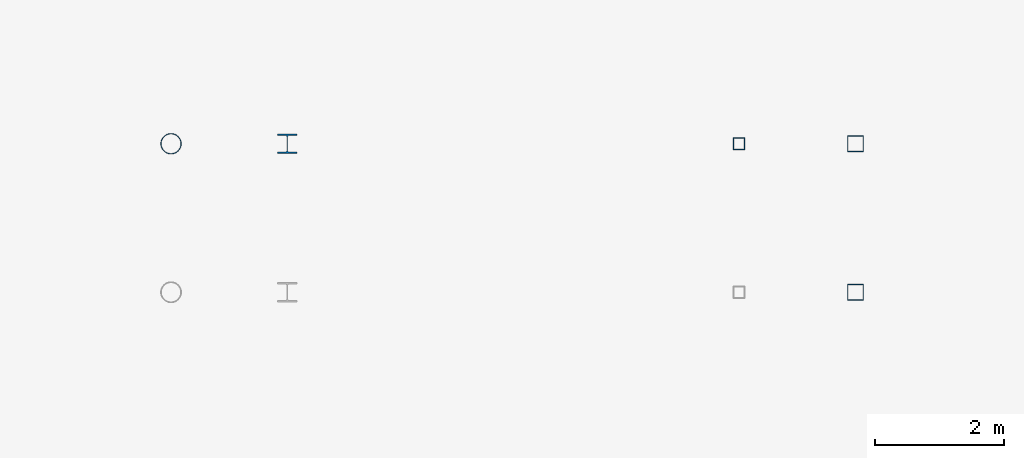
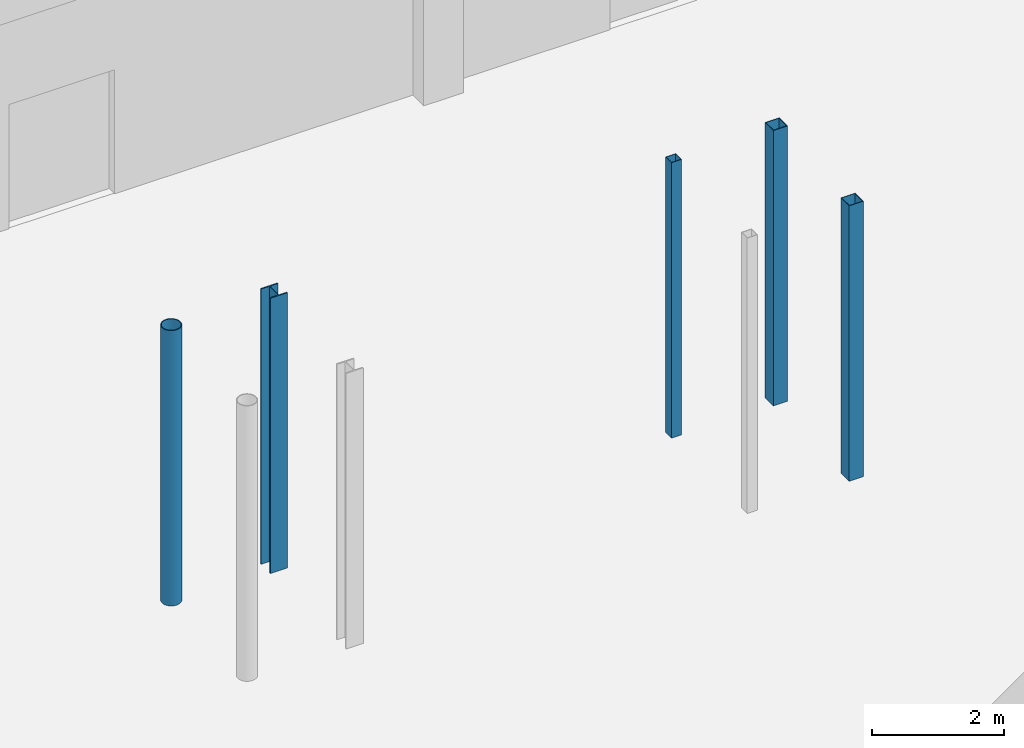
# One storey, part 17 of 121: 5 columns.
"""IFC4 building model written with IfcOpenShell, lengths in metres."""

from ifc_helpers import new_model, si_unit, direction, frame, origin, origin_2d, place, context, subcontext, project, spatial, hollow_rectangle, hollow_circle, i_section, extrude, material, material_profile, profile_set, type_object, element, save


model = new_model("IFC4")

# Units and contexts
model_context = context("Model", 3, precision=1e-05, world=origin(), true_north=direction((0.0, 1.0)))
body_context = subcontext(model_context, "Body", "Model", "MODEL_VIEW")
ifc_project = project(units=[si_unit("LENGTHUNIT", "METRE"), si_unit("AREAUNIT", "SQUARE_METRE"), si_unit("VOLUMEUNIT", "CUBIC_METRE"), si_unit("PLANEANGLEUNIT", "RADIAN"), si_unit("MASSUNIT", "GRAM", prefix="KILO")], contexts=[model_context])

# Site, building, storey
site_placement = place(None, origin())
site = spatial("IfcSite", under=ifc_project, at=site_placement, CompositionType="ELEMENT")
building_placement = place(site_placement, origin())
building = spatial("IfcBuilding", under=site, at=building_placement, Name="Malvenik Polytechnic", CompositionType="ELEMENT")
storey_placement = place(building_placement, origin())
storey = spatial("IfcBuildingStorey", under=building, at=storey_placement, Name="L00", CompositionType="ELEMENT", Elevation=0.0)

# Columns
ifc_material_1 = material(Name="Steel S355J2H", Category="steel")
ifc_material_profile_1 = material_profile(ifc_material_1, hollow_rectangle(XDim=0.25, YDim=0.25, WallThickness=0.010009765625, at=origin_2d()), Name="SHS 250x250x10.0")
ifc_profile_set_1 = profile_set([ifc_material_profile_1], Name="Steel S355J2H")
column_type_1 = type_object("IfcColumnType", Name="STR-SCOL-SC-01", PredefinedType="COLUMN", material=ifc_profile_set_1)
for number, where, z_axis, x_axis, name in (
    (1, (59.199951171875, 103.14990234375, 0.0), (0.0, 0.0, 1.0), (1.0, 0.0, 0.0), "Bridge-Ramp Support Column SC-01 L00"),
    (2, (59.199951171875, 105.449951171875, 0.0), (0.0, 0.0, 1.0), (1.0, 0.0, 0.0), "Bridge-Ramp Support Column SC-01 L00"),
):
    element("IfcColumn", number, at=place(storey_placement, frame(where, z_axis=z_axis, x_axis=x_axis)), inside=storey, type_object=column_type_1, Name=name, PredefinedType="COLUMN", context=body_context, shape_type="SweptSolid", body=[
        extrude(hollow_rectangle(XDim=0.25, YDim=0.25, WallThickness=0.010009765625, at=origin_2d()), origin(), (0.0, 0.0, 1.0), 5.10009765625),
    ])
ifc_material_profile_2 = material_profile(ifc_material_1, hollow_circle(Radius=0.161865234375, WallThickness=0.012451171875, at=origin_2d()), Name="CHS 323.9x12.5")
ifc_profile_set_2 = profile_set([ifc_material_profile_2], Name="Steel S355J2H")
column_type_2 = type_object("IfcColumnType", Name="STR-SCOL-SC-04", PredefinedType="COLUMN", material=ifc_profile_set_2)
column_1_placement = place(storey_placement, frame((48.60009765625, 105.449951171875, 0.0), z_axis=(0.0, 0.0, 1.0), x_axis=(1.0, 0.0, 0.0)))
element("IfcColumn", 3, at=column_1_placement, inside=storey, type_object=column_type_2, Name="Bridge-Ramp Support Column SC-04 L00", PredefinedType="COLUMN", context=body_context, shape_type="SweptSolid", body=[
    extrude(hollow_circle(Radius=0.161865234375, WallThickness=0.012451171875, at=origin_2d()), origin(), (0.0, 0.0, 1.0), 5.10009765625),
])
ifc_material_2 = material(Name="Steel S355", Category="steel")
ifc_material_profile_3 = material_profile(ifc_material_2, i_section(OverallWidth=0.300048828125, OverallDepth=0.300048828125, WebThickness=0.010986328125, FlangeThickness=0.01904296875, FilletRadius=0.027099609375, at=origin_2d()), Name="HEB 300")
ifc_profile_set_3 = profile_set([ifc_material_profile_3], Name="Steel S355")
column_type_3 = type_object("IfcColumnType", Name="STR-SCOL-SC-05", PredefinedType="COLUMN", material=ifc_profile_set_3)
column_2_placement = place(storey_placement, frame((50.39990234375, 105.449951171875, 0.0), z_axis=(0.0, 0.0, 1.0), x_axis=(1.0, 0.0, 0.0)))
element("IfcColumn", 4, at=column_2_placement, inside=storey, type_object=column_type_3, Name="Bridge-Ramp Support Column SC-05 L00", PredefinedType="COLUMN", context=body_context, shape_type="SweptSolid", body=[
    extrude(i_section(OverallWidth=0.300048828125, OverallDepth=0.300048828125, WebThickness=0.010986328125, FlangeThickness=0.01904296875, FilletRadius=0.027099609375, at=origin_2d()), origin(), (0.0, 0.0, 1.0), 5.10009765625),
])
ifc_material_profile_4 = material_profile(ifc_material_1, hollow_rectangle(XDim=0.179931640625, YDim=0.179931640625, WallThickness=0.008056640625, at=origin_2d()), Name="SHS 180x180x8.0")
ifc_profile_set_4 = profile_set([ifc_material_profile_4], Name="Steel S355J2H")
column_type_4 = type_object("IfcColumnType", Name="STR-SCOL-SC-06", PredefinedType="COLUMN", material=ifc_profile_set_4)
column_3_placement = place(storey_placement, frame((57.39990234375, 105.449951171875, 0.0), z_axis=(0.0, 0.0, 1.0), x_axis=(1.0, 0.0, 0.0)))
element("IfcColumn", 5, at=column_3_placement, inside=storey, type_object=column_type_4, Name="Bridge-Ramp Support Column SC-06 L00", PredefinedType="COLUMN", context=body_context, shape_type="SweptSolid", body=[
    extrude(hollow_rectangle(XDim=0.179931640625, YDim=0.179931640625, WallThickness=0.008056640625, at=origin_2d()), origin(), (0.0, 0.0, 1.0), 5.10009765625),
])

save(model, "model.ifc")
